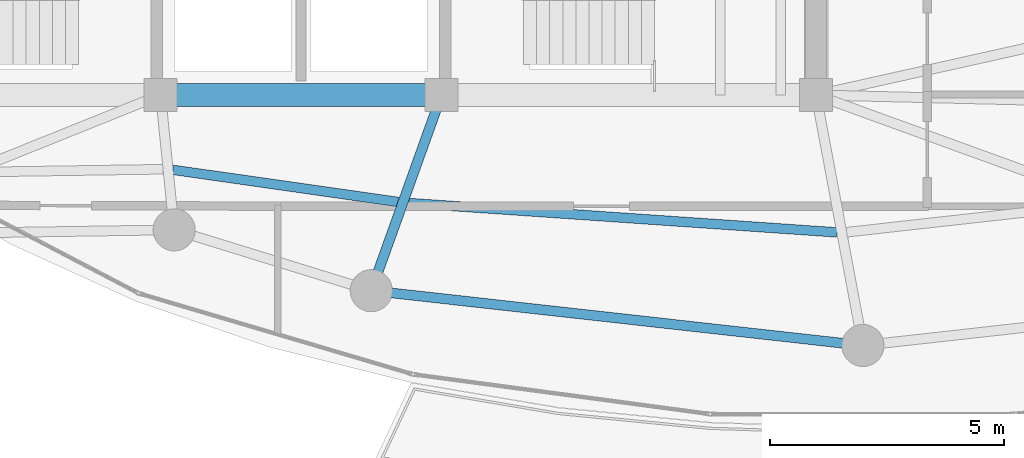
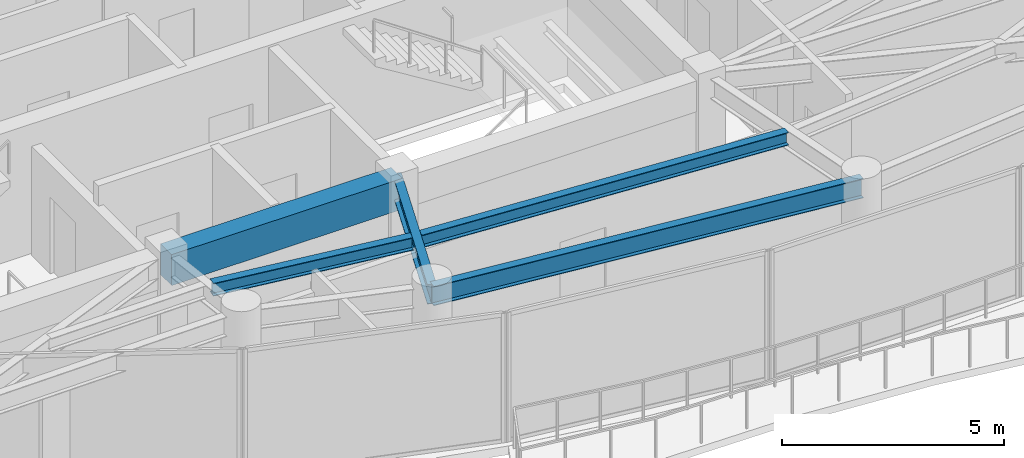
# One storey, part 6 of 30: 5 beams.
"""IFC4 building model written with IfcOpenShell, lengths in metres."""

from ifc_helpers import new_model, si_unit, direction, frame, origin, origin_2d, place, context, subcontext, project, spatial, rectangle, i_section, extrude, material, material_profile, profile_set, type_object, element, save


model = new_model("IFC4")

# Units and contexts
model_context = context("Model", 3, precision=1e-05, world=origin(), true_north=direction((0.0, 1.0)))
body_context = subcontext(model_context, "Body", "Model", "MODEL_VIEW")
ifc_project = project(units=[si_unit("LENGTHUNIT", "METRE"), si_unit("AREAUNIT", "SQUARE_METRE"), si_unit("VOLUMEUNIT", "CUBIC_METRE"), si_unit("PLANEANGLEUNIT", "RADIAN"), si_unit("MASSUNIT", "GRAM", prefix="KILO")], contexts=[model_context])

# Site, building, storey
site_placement = place(None, origin())
site = spatial("IfcSite", under=ifc_project, at=site_placement, CompositionType="ELEMENT")
building_placement = place(site_placement, origin())
building = spatial("IfcBuilding", under=site, at=building_placement, Name="Kazevale Care Tower and Concert Hall", CompositionType="ELEMENT")
storey_placement = place(building_placement, frame((0.0, 0.0, 258.60009765625)))
storey = spatial("IfcBuildingStorey", under=building, at=storey_placement, Name="L68", CompositionType="ELEMENT", Elevation=258.60009765625)

# Beams
ifc_material_1 = material(Name="Concrete C60", Category="concrete")
ifc_material_profile_1 = material_profile(ifc_material_1, rectangle(XDim=0.5, YDim=0.85009765625, at=origin_2d()), Name="RC-B500x850")
ifc_profile_set_1 = profile_set([ifc_material_profile_1], Name="Concrete C60")
beam_type_1 = type_object("IfcBeamType", Name="Core Coupling Beam RC500x850", PredefinedType="LINTEL", material=ifc_profile_set_1)
beam_1_placement = place(storey_placement, frame((30.0, 23.60009765625, 3.135009765625), z_axis=(1.0, 0.0, 0.0), x_axis=(0.0, 1.0, 0.0)))
element("IfcBeam", 1, at=beam_1_placement, inside=storey, type_object=beam_type_1, Name="beam:L68:coretie:2", PredefinedType="LINTEL", context=body_context, shape_type="SweptSolid", body=[
    extrude(rectangle(XDim=0.5, YDim=0.85009765625, at=origin_2d()), origin(), (0.0, 0.0, 1.0), 6.0),
])
ifc_material_2 = material(Name="Steel ASTM A572 Gr 50", Category="steel")
ifc_material_profile_2 = material_profile(ifc_material_2, i_section(OverallWidth=0.2119140625, OverallDepth=0.5439453125, WebThickness=0.01318359375, FlangeThickness=0.021240234375, at=origin_2d()), Name="W530x123")
ifc_profile_set_2 = profile_set([ifc_material_profile_2], Name="Steel ASTM A572 Gr 50")
beam_type_2 = type_object("IfcBeamType", Name="Radial Floor Girder W530x123", PredefinedType="BEAM", material=ifc_profile_set_2)
beam_2_placement = place(storey_placement, frame((36.0, 23.60009765625, 3.287841796875), z_axis=(-0.33774987593, -0.941235900988, 0.0), x_axis=(0.941235900988, -0.33774987593, 0.0)))
element("IfcBeam", 2, at=beam_2_placement, inside=storey, type_object=beam_type_2, Name="beam:L68:rad:12", PredefinedType="BEAM", context=body_context, shape_type="SweptSolid", body=[
    extrude(i_section(OverallWidth=0.2119140625, OverallDepth=0.5439453125, WebThickness=0.01318359375, FlangeThickness=0.021240234375, at=origin_2d()), origin(), (0.0, 0.0, 1.0), 4.441162109375),
])
ifc_material_profile_3 = material_profile(ifc_material_2, i_section(OverallWidth=0.205078125, OverallDepth=0.35400390625, WebThickness=0.009521484375, FlangeThickness=0.016845703125, at=origin_2d()), Name="W360x79")
ifc_profile_set_3 = profile_set([ifc_material_profile_3], Name="Steel ASTM A572 Gr 50")
beam_type_3 = type_object("IfcBeamType", Name="Secondary Floor Joist W360x79", PredefinedType="JOIST", material=ifc_profile_set_3)
beam_3_placement = place(storey_placement, frame((30.262939453125, 22.0009765625, 3.3828125), z_axis=(0.99000170599, -0.141055386768, 0.0), x_axis=(0.141055386768, 0.99000170599, 0.0)))
element("IfcBeam", 3, at=beam_3_placement, inside=storey, type_object=beam_type_3, Name="beam:L68:joist:11", PredefinedType="JOIST", context=body_context, shape_type="SweptSolid", body=[
    extrude(i_section(OverallWidth=0.205078125, OverallDepth=0.35400390625, WebThickness=0.009521484375, FlangeThickness=0.016845703125, at=origin_2d()), origin(), (0.0, 0.0, 1.0), 4.856689453125),
])
beam_4_placement = place(storey_placement, frame((35.280029296875, 21.2939453125, 3.3828125), z_axis=(0.997653920332, -0.068459150207, 0.0), x_axis=(0.068459150207, 0.997653920332, 0.0)))
element("IfcBeam", 4, at=beam_4_placement, inside=storey, type_object=beam_type_3, Name="beam:L68:joist:12", PredefinedType="JOIST", context=body_context, shape_type="SweptSolid", body=[
    extrude(i_section(OverallWidth=0.205078125, OverallDepth=0.35400390625, WebThickness=0.009521484375, FlangeThickness=0.016845703125, at=origin_2d()), origin(), (0.0, 0.0, 1.0), 9.1865234375),
])
ifc_material_profile_4 = material_profile(ifc_material_2, i_section(OverallWidth=0.208984375, OverallDepth=0.532958984375, WebThickness=0.01025390625, FlangeThickness=0.015625, at=origin_2d()), Name="W530x92")
ifc_profile_set_4 = profile_set([ifc_material_profile_4], Name="Steel ASTM A572 Gr 50")
beam_type_4 = type_object("IfcBeamType", Name="Upper Ring Beam W530x92", PredefinedType="BEAM", material=ifc_profile_set_4)
beam_5_placement = place(storey_placement, frame((34.5, 19.419921875, 3.29345703125), z_axis=(0.993849870772, -0.110735876598, 0.0), x_axis=(0.110735876598, 0.993849870772, 0.0)))
element("IfcBeam", 5, at=beam_5_placement, inside=storey, type_object=beam_type_4, Name="beam:L68:ring:12", PredefinedType="BEAM", context=body_context, shape_type="SweptSolid", body=[
    extrude(i_section(OverallWidth=0.208984375, OverallDepth=0.532958984375, WebThickness=0.01025390625, FlangeThickness=0.015625, at=origin_2d()), origin(), (0.0, 0.0, 1.0), 10.56494140625),
])

save(model, "model.ifc")
